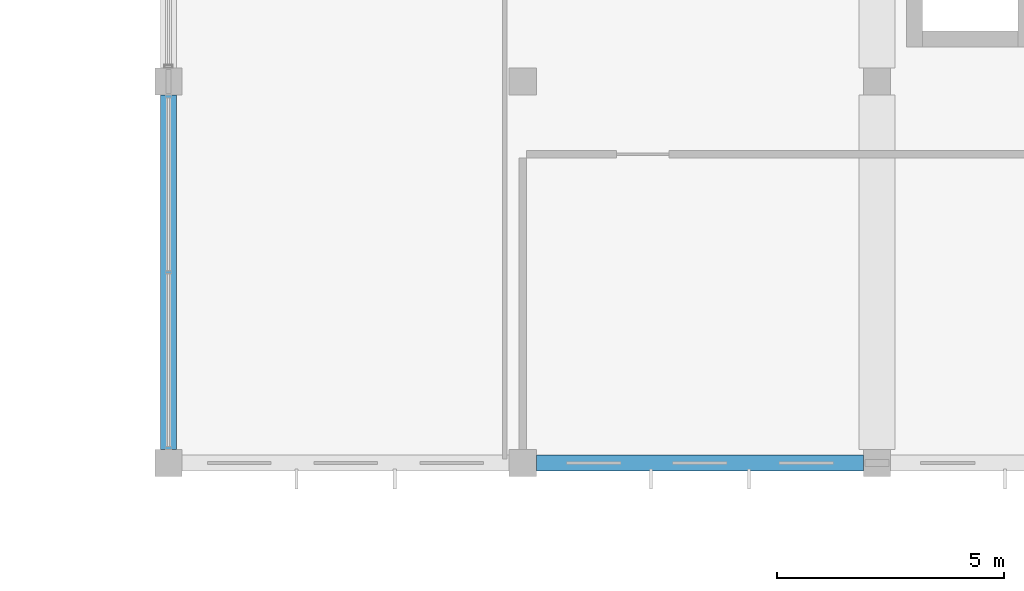
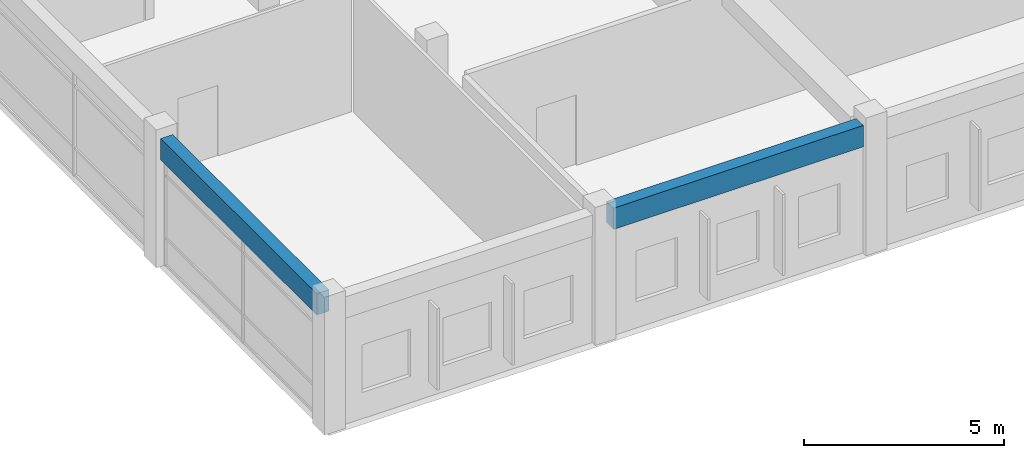
# One storey, part 9 of 32: 2 beams.
"""IFC4 building model written with IfcOpenShell, lengths in metres."""

from ifc_helpers import new_model, si_unit, direction, frame, origin, origin_2d, place, context, subcontext, project, spatial, rectangle, extrude, material, material_profile, profile_set, type_object, element, save


model = new_model("IFC4")

# Units and contexts
model_context = context("Model", 3, precision=1e-05, world=origin(), true_north=direction((0.0, 1.0)))
body_context = subcontext(model_context, "Body", "Model", "MODEL_VIEW")
ifc_project = project(units=[si_unit("LENGTHUNIT", "METRE"), si_unit("AREAUNIT", "SQUARE_METRE"), si_unit("VOLUMEUNIT", "CUBIC_METRE"), si_unit("PLANEANGLEUNIT", "RADIAN"), si_unit("MASSUNIT", "GRAM", prefix="KILO"), si_unit("THERMODYNAMICTEMPERATUREUNIT", "KELVIN"), si_unit("POWERUNIT", "WATT")], contexts=[model_context])

# Site, building, storey
site_placement = place(None, origin())
site = spatial("IfcSite", under=ifc_project, at=site_placement, CompositionType="ELEMENT")
building_placement = place(site_placement, origin())
building = spatial("IfcBuilding", under=site, at=building_placement, Name="Srebrne Nadtorze General Hospital", CompositionType="ELEMENT")
storey_placement = place(building_placement, frame((0.0, 0.0, 29.699951171875)))
storey = spatial("IfcBuildingStorey", under=building, at=storey_placement, Name="L07", CompositionType="ELEMENT", Elevation=29.699951171875)

# Beams
ifc_material = material(Name="Concrete C35/45", Category="concrete")
ifc_material_profile = material_profile(ifc_material, rectangle(XDim=0.35009765625, YDim=0.64990234375, at=origin_2d()), Name="RC-BM-350x650")
ifc_profile_set = profile_set([ifc_material_profile], Name="Concrete C35/45")
beam_type = type_object("IfcBeamType", Name="Edge beam RC 350x650", PredefinedType="BEAM", material=ifc_profile_set)
beam_1_placement = place(storey_placement, frame((109.5, 33.60009765625, 3.574951171875), z_axis=(1.0, 0.0, 0.0), x_axis=(0.0, 1.0, 0.0)))
element("IfcBeam", 1, at=beam_1_placement, inside=storey, type_object=beam_type, Name="Beam BM-L07-X-1254", PredefinedType="BEAM", context=body_context, shape_type="SweptSolid", body=[
    extrude(rectangle(XDim=0.35009765625, YDim=0.64990234375, at=origin_2d()), origin(), (0.0, 0.0, 1.0), 7.199951171875),
])
beam_2_placement = place(storey_placement, frame((101.39990234375, 33.89990234375, 3.574951171875), z_axis=(0.0, 1.0, 0.0), x_axis=(-1.0, 0.0, 0.0)))
element("IfcBeam", 2, at=beam_2_placement, inside=storey, type_object=beam_type, Name="Beam BM-L07-Y-1312", PredefinedType="BEAM", context=body_context, shape_type="SweptSolid", body=[
    extrude(rectangle(XDim=0.35009765625, YDim=0.64990234375, at=origin_2d()), origin(), (0.0, 0.0, 1.0), 7.800048828125),
])

save(model, "model.ifc")
